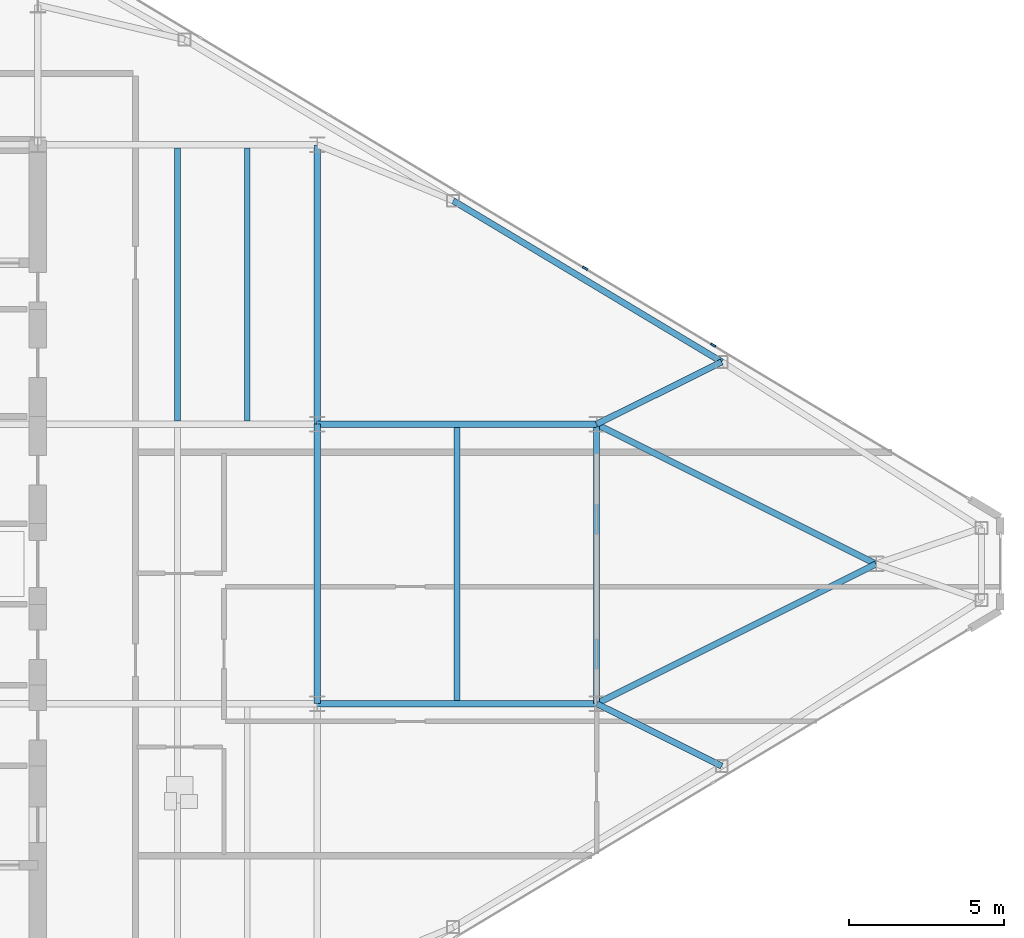
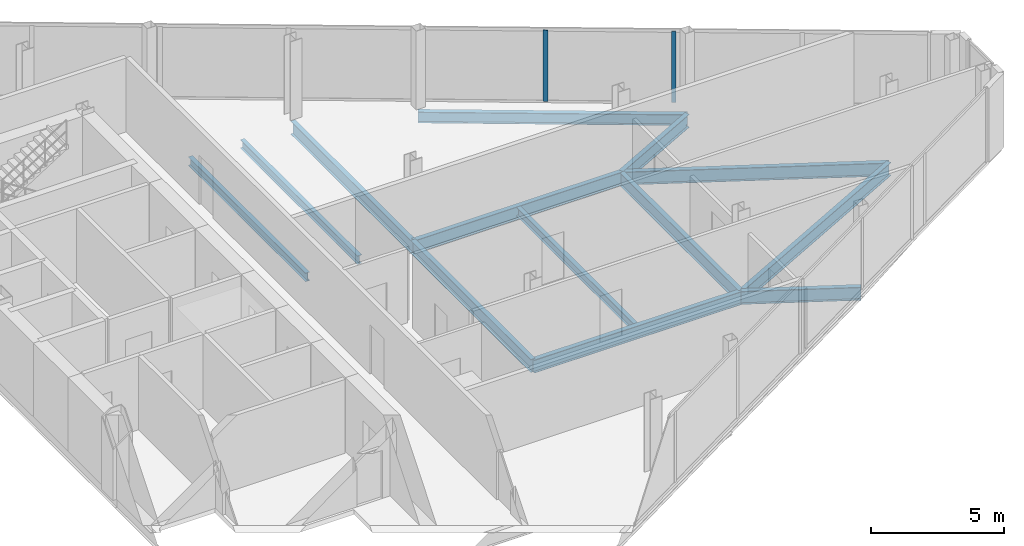
# One storey, part 14 of 25: 13 beams, 2 members, 1 element without a shape of its own.
"""IFC4 building model written with IfcOpenShell, lengths in metres."""

from ifc_helpers import new_model, si_unit, direction, frame, origin, origin_2d, place, context, subcontext, project, spatial, rectangle, i_section, extrude, source, transform, mapped, material, layer, layer_set, material_profile, profile_set, type_object, type_shapes, element, aggregate, save


model = new_model("IFC4")

# Units and contexts
model_context = context("Model", 3, precision=1e-05, world=origin(), true_north=direction((0.0, 1.0)))
body_context = subcontext(model_context, "Body", "Model", "MODEL_VIEW")
ifc_project = project(units=[si_unit("LENGTHUNIT", "METRE"), si_unit("AREAUNIT", "SQUARE_METRE"), si_unit("VOLUMEUNIT", "CUBIC_METRE"), si_unit("PLANEANGLEUNIT", "RADIAN"), si_unit("MASSUNIT", "GRAM", prefix="KILO")], contexts=[model_context])

# Site, building, storey
site_placement = place(None, origin())
site = spatial("IfcSite", under=ifc_project, at=site_placement, CompositionType="ELEMENT")
building_placement = place(site_placement, origin())
building = spatial("IfcBuilding", under=site, at=building_placement, Name="Seokmaru Belvedere", CompositionType="ELEMENT")
storey_placement = place(building_placement, frame((0.0, 0.0, 206.699951171875)))
storey = spatial("IfcBuildingStorey", under=building, at=storey_placement, Name="L55", CompositionType="ELEMENT", Elevation=206.699951171875)

# Beams
ifc_material_1 = material(Name="Steel SM355 (355 MPa)", Category="steel")
ifc_material_profile_1 = material_profile(ifc_material_1, i_section(OverallWidth=0.199951171875, OverallDepth=0.60009765625, WebThickness=0.010986328125, FlangeThickness=0.01708984375, at=origin_2d()), Name="H-600x200x11x17")
ifc_profile_set_1 = profile_set([ifc_material_profile_1], Name="Steel SM355 (355 MPa)")
beam_type_1 = type_object("IfcBeamType", Name="Primary Floor Girder H-600", PredefinedType="BEAM", material=ifc_profile_set_1)
shared_shape_1 = source(origin(), body_context, "Body", "SweptSolid", [
    extrude(i_section(OverallWidth=0.199951171875, OverallDepth=0.60009765625, WebThickness=0.010986328125, FlangeThickness=0.01708984375, at=origin_2d()), origin(), (0.0, 0.0, 1.0), 9.0),
])
for number, where, z_axis, x_axis, name in (
    (1, (45.5, -4.5, -0.52001953125), (0.0, 1.0, 0.0), (-1.0, 0.0, 0.0), "L55 E Interior Grid Girder 2"),
    (2, (45.5, 4.5, -0.52001953125), (0.0, 1.0, 0.0), (-1.0, 0.0, 0.0), "L55 E Interior Grid Girder 3"),
    (3, (45.5, -4.5, -0.52001953125), (1.0, 0.0, 0.0), (0.0, 1.0, 0.0), "L55 E Outer Wing Girder 1"),
    (4, (45.5, 4.5, -0.52001953125), (1.0, 0.0, 0.0), (0.0, 1.0, 0.0), "L55 E Outer Wing Girder 2"),
    (5, (54.5, -4.5, -0.52001953125), (0.0, 1.0, 0.0), (-1.0, 0.0, 0.0), "L55 E Apex Frame Girder"),
):
    element("IfcBeam", number, at=place(storey_placement, frame(where, z_axis=z_axis, x_axis=x_axis)), inside=storey, type_object=beam_type_1, Name=name, PredefinedType="BEAM", context=body_context, shape_type="MappedRepresentation", body=[
        mapped(shared_shape_1, transform((0.0, 0.0, 0.0), scale=1.0)),
    ])
shared_shape_2 = source(origin(), body_context, "Body", "SweptSolid", [
    extrude(i_section(OverallWidth=0.199951171875, OverallDepth=0.60009765625, WebThickness=0.010986328125, FlangeThickness=0.01708984375, at=origin_2d()), origin(), (0.0, 0.0, 1.0), 10.062255859375),
])
for number, where, z_axis, x_axis, name in (
    (6, (54.5, -4.5, -0.52001953125), (0.894427191, 0.4472135955, 0.0), (-0.4472135955, 0.894427191, 0.0), "L55 E Apex Converging Girder 1"),
    (7, (54.5, 4.5, -0.52001953125), (0.894427191, -0.4472135955, 0.0), (0.4472135955, 0.894427191, 0.0), "L55 E Apex Converging Girder 2"),
):
    element("IfcBeam", number, at=place(storey_placement, frame(where, z_axis=z_axis, x_axis=x_axis)), inside=storey, type_object=beam_type_1, Name=name, PredefinedType="BEAM", context=body_context, shape_type="MappedRepresentation", body=[
        mapped(shared_shape_2, transform((0.0, 0.0, 0.0), scale=1.0)),
    ])
ifc_material_profile_2 = material_profile(ifc_material_1, i_section(OverallWidth=0.18505859375, OverallDepth=0.389892578125, WebThickness=0.008056640625, FlangeThickness=0.011962890625, at=origin_2d()), Name="H-390x185x8x12")
ifc_profile_set_2 = profile_set([ifc_material_profile_2], Name="Steel SM355 (355 MPa)")
beam_type_2 = type_object("IfcBeamType", Name="Secondary Floor Joist H-350", PredefinedType="JOIST", material=ifc_profile_set_2)
shared_shape_3 = source(origin(), body_context, "Body", "SweptSolid", [
    extrude(i_section(OverallWidth=0.18505859375, OverallDepth=0.389892578125, WebThickness=0.008056640625, FlangeThickness=0.011962890625, at=origin_2d()), origin(), (0.0, 0.0, 1.0), 8.7900390625),
])
type_shapes(beam_type_2, [shared_shape_3])
for number, where, z_axis, x_axis, name in (
    (8, (43.25, 4.60498046875, -0.4150390625), (0.0, 1.0, 0.0), (-1.0, 0.0, 0.0), "L55 E Wing Inner Secondary Joist 2"),
    (9, (41.0, 4.60498046875, -0.4150390625), (0.0, 1.0, 0.0), (-1.0, 0.0, 0.0), "L55 E Secondary Floor Joist 3"),
    (10, (50.0, -4.39501953125, -0.4150390625), (0.0, 1.0, 0.0), (-1.0, 0.0, 0.0), "L55 E Outer Bay Secondary Joist"),
):
    element("IfcBeam", number, at=place(storey_placement, frame(where, z_axis=z_axis, x_axis=x_axis)), inside=storey, type_object=beam_type_2, Name=name, PredefinedType="JOIST", context=body_context, shape_type="MappedRepresentation", body=[
        mapped(shared_shape_3, transform((0.0, 0.0, 0.0), scale=1.0)),
    ])
ifc_material_profile_3 = material_profile(ifc_material_1, i_section(OverallWidth=0.199951171875, OverallDepth=0.5, WebThickness=0.010009765625, FlangeThickness=0.01611328125, at=origin_2d()), Name="H-500x200x10x16")
ifc_profile_set_3 = profile_set([ifc_material_profile_3], Name="Steel SM355 (355 MPa)")
beam_type_3 = type_object("IfcBeamType", Name="Perimeter Spandrel Beam H-500", PredefinedType="SPANDREL", material=ifc_profile_set_3)
shared_shape_4 = source(origin(), body_context, "Body", "SweptSolid", [
    extrude(i_section(OverallWidth=0.199951171875, OverallDepth=0.5, WebThickness=0.010009765625, FlangeThickness=0.01611328125, at=origin_2d()), origin(), (0.0, 0.0, 1.0), 10.087646484375),
])
type_shapes(beam_type_3, [shared_shape_4])
beam_placement = place(storey_placement, frame((49.8798828125, 11.698974609375, -0.469970703125), z_axis=(0.857488654804, -0.514502873542, 0.0), x_axis=(0.514502873542, 0.857488654804, 0.0)))
element("IfcBeam", 11, at=beam_placement, inside=storey, type_object=beam_type_3, Name="L55 E Faceted Flank Spandrel N-3", PredefinedType="SPANDREL", context=body_context, shape_type="MappedRepresentation", body=[
    mapped(shared_shape_4, transform((0.0, 0.0, 0.0), scale=1.0)),
])
shared_shape_5 = source(origin(), body_context, "Body", "SweptSolid", [
    extrude(i_section(OverallWidth=0.199951171875, OverallDepth=0.60009765625, WebThickness=0.010986328125, FlangeThickness=0.01708984375, at=origin_2d()), origin(), (0.0, 0.0, 1.0), 4.5029296875),
])
type_shapes(beam_type_1, [shared_shape_1, shared_shape_2, shared_shape_5])
for number, where, z_axis, x_axis, name in (
    (12, (58.530029296875, -6.5087890625, -0.52001953125), (-0.894979532585, 0.446107202648, 0.0), (-0.446107202648, -0.894979532585, 0.0), "L55 E Flank Radial Floor Girder S-3"),
    (13, (58.530029296875, 6.5087890625, -0.52001953125), (-0.894979532585, -0.446107202648, 0.0), (0.446107202648, -0.894979532585, 0.0), "L55 E Flank Radial Floor Girder N-3"),
):
    element("IfcBeam", number, at=place(storey_placement, frame(where, z_axis=z_axis, x_axis=x_axis)), inside=storey, type_object=beam_type_1, Name=name, PredefinedType="BEAM", context=body_context, shape_type="MappedRepresentation", body=[
        mapped(shared_shape_5, transform((0.0, 0.0, 0.0), scale=1.0)),
    ])

# Curtain wall, members
ifc_material_2 = material(Name="Bronze Triple Insulating Glass", Category="glass")
ifc_layer = layer(ifc_material_2, 0.179931640625)
ifc_layer_set = layer_set([ifc_layer], Name="Bronze Triple Insulating Glass")
curtain_wall_type = type_object("IfcCurtainWallType", Name="High-Rise Wind-Corner Curtain Wall System CW-5", PredefinedType="NOTDEFINED", material=ifc_layer_set)
curtain_wall_placement = place(storey_placement, origin())
curtain_wall = element("IfcCurtainWall", 14, at=curtain_wall_placement, inside=storey, type_object=curtain_wall_type, Name="L55 Curtain Wall EF3", PredefinedType="NOTDEFINED")
ifc_material_3 = material(Name="Anodised Bronze Aluminium", Category="aluminium")
ifc_material_profile_4 = material_profile(ifc_material_3, rectangle(XDim=0.06494140625, YDim=0.179931640625, at=origin_2d()), Name="CW-M-65x180")
ifc_profile_set_4 = profile_set([ifc_material_profile_4], Name="Anodised Bronze Aluminium")
member_type = type_object("IfcMemberType", Name="Bronze Unitised Mullion 65x180", PredefinedType="MULLION", material=ifc_profile_set_4)
shared_shape_6 = source(origin(), body_context, "Body", "SweptSolid", [
    extrude(rectangle(XDim=0.06494140625, YDim=0.179931640625, at=origin_2d()), origin(), (0.0, 0.0, 1.0), 3.25),
])
type_shapes(member_type, [shared_shape_6])
member_1_placement = place(storey_placement, frame((58.257080078125, 7.0458984375, 0.06494140625), z_axis=(0.0, 0.0, 1.0), x_axis=(-0.514494909364, -0.85749343335, 0.0)))
member_1 = element("IfcMember", 15, at=member_1_placement, type_object=member_type, Name="CW:L55:EF3 Mullion 3", PredefinedType="MULLION", context=body_context, shape_type="MappedRepresentation", body=[
    mapped(shared_shape_6, transform((0.0, 0.0, 0.0), scale=1.0)),
])
member_2_placement = place(storey_placement, frame((54.12841796875, 9.52294921875, 0.06494140625), z_axis=(0.0, 0.0, 1.0), x_axis=(-0.514494909364, -0.85749343335, 0.0)))
member_2 = element("IfcMember", 16, at=member_2_placement, type_object=member_type, Name="CW:L55:EF3 Mullion 4", PredefinedType="MULLION", context=body_context, shape_type="MappedRepresentation", body=[
    mapped(shared_shape_6, transform((0.0, 0.0, 0.0), scale=1.0)),
])
aggregate(curtain_wall, [member_1, member_2])

save(model, "model.ifc")
